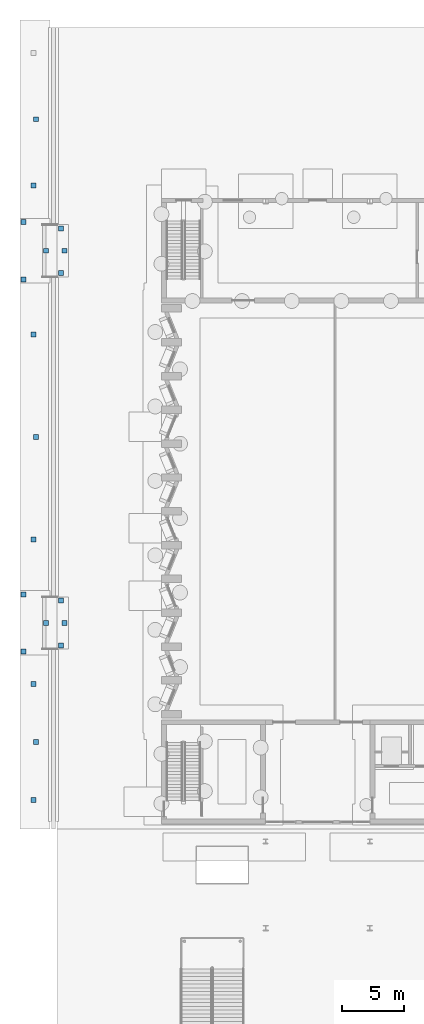
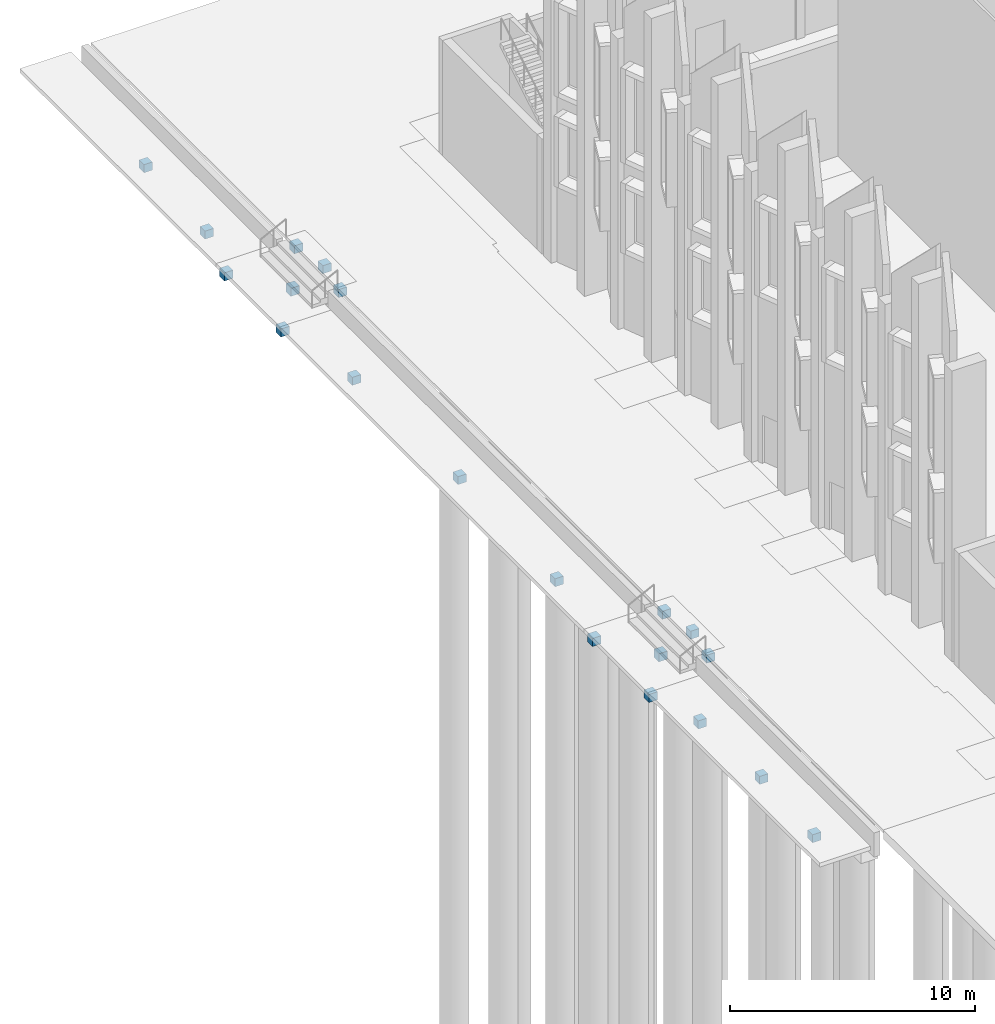
# One storey, part 6 of 108: 20 footings.
"""IFC4 building model written with IfcOpenShell, lengths in metres."""

from ifc_helpers import new_model, si_unit, direction, frame, origin, origin_2d, place, context, subcontext, project, spatial, rectangle, extrude, material, type_object, element, save


model = new_model("IFC4")

# Units and contexts
model_context = context("Model", 3, precision=1e-05, world=origin(), true_north=direction((0.0, 1.0)))
body_context = subcontext(model_context, "Body", "Model", "MODEL_VIEW")
ifc_project = project(units=[si_unit("LENGTHUNIT", "METRE"), si_unit("AREAUNIT", "SQUARE_METRE"), si_unit("VOLUMEUNIT", "CUBIC_METRE"), si_unit("PLANEANGLEUNIT", "RADIAN"), si_unit("MASSUNIT", "GRAM", prefix="KILO")], contexts=[model_context])

# Site, building, storey
site_placement = place(None, origin())
site = spatial("IfcSite", under=ifc_project, at=site_placement, CompositionType="ELEMENT")
building_placement = place(site_placement, origin())
building = spatial("IfcBuilding", under=site, at=building_placement, Name="Cresset Court Congress Hotel", CompositionType="ELEMENT")
storey_placement = place(building_placement, origin())
storey = spatial("IfcBuildingStorey", under=building, at=storey_placement, Name="L00", CompositionType="ELEMENT", Elevation=0.0)

# Footings
ifc_material = material(Name="Concrete C35", Category="concrete")
footing_type = type_object("IfcFootingType", Name="Support pad 400x400", PredefinedType="PAD_FOOTING", material=ifc_material)
for number, where, z_axis, x_axis, name in (
    (1, (-1.89892578125, 60.7333984375, -1.199951171875), (0.0, 0.0, 1.0), (1.0, 0.0, 0.0), "Kerb pad W01.1"),
    (2, (-1.698974609375, 65.39990234375, -1.199951171875), (0.0, 0.0, 1.0), (1.0, 0.0, 0.0), "Kerb pad W01.2"),
    (3, (-1.89892578125, 70.066650390625, -1.199951171875), (0.0, 0.0, 1.0), (1.0, 0.0, 0.0), "Kerb pad W01.3"),
    (4, (-1.89892578125, 81.7333984375, -1.199951171875), (0.0, 0.0, 1.0), (1.0, 0.0, 0.0), "Kerb pad W02.1"),
    (5, (-1.698974609375, 90.0, -1.199951171875), (0.0, 0.0, 1.0), (1.0, 0.0, 0.0), "Kerb pad W02.2"),
    (6, (-1.89892578125, 98.2666015625, -1.199951171875), (0.0, 0.0, 1.0), (1.0, 0.0, 0.0), "Kerb pad W02.3"),
    (7, (-1.89892578125, 110.266357421875, -1.199951171875), (0.0, 0.0, 1.0), (1.0, 0.0, 0.0), "Kerb pad W03.1"),
    (8, (-1.698974609375, 115.59912109375, -1.199951171875), (0.0, 0.0, 1.0), (1.0, 0.0, 0.0), "Kerb pad W03.2"),
    (9, (-2.697998046875, 72.699951171875, -1.199951171875), (0.0, 0.0, 1.0), (1.0, 0.0, 0.0), "Support pad 1"),
    (10, (-2.697998046875, 77.300048828125, -1.199951171875), (0.0, 0.0, 1.0), (1.0, 0.0, 0.0), "Support pad 2"),
    (11, (-0.89990234375, 75.0, -1.199951171875), (0.0, 0.0, 1.0), (1.0, 0.0, 0.0), "Support pad 3"),
    (12, (-2.697998046875, 102.699951171875, -1.199951171875), (0.0, 0.0, 1.0), (1.0, 0.0, 0.0), "Support pad 1"),
    (13, (-2.697998046875, 107.300048828125, -1.199951171875), (0.0, 0.0, 1.0), (1.0, 0.0, 0.0), "Support pad 2"),
    (14, (-0.89990234375, 105.0, -1.199951171875), (0.0, 0.0, 1.0), (1.0, 0.0, 0.0), "Support pad 3"),
    (15, (0.300048828125, 73.199951171875, -0.599853515625), (0.0, 0.0, 1.0), (1.0, 0.0, 0.0), "Support pad 1"),
    (16, (0.300048828125, 76.800048828125, -0.599853515625), (0.0, 0.0, 1.0), (1.0, 0.0, 0.0), "Support pad 2"),
    (17, (0.60009765625, 75.0, -0.599853515625), (0.0, 0.0, 1.0), (1.0, 0.0, 0.0), "Support pad 3"),
    (18, (0.300048828125, 103.199951171875, -0.599853515625), (0.0, 0.0, 1.0), (1.0, 0.0, 0.0), "Support pad 1"),
    (19, (0.300048828125, 106.800048828125, -0.599853515625), (0.0, 0.0, 1.0), (1.0, 0.0, 0.0), "Support pad 2"),
    (20, (0.60009765625, 105.0, -0.599853515625), (0.0, 0.0, 1.0), (1.0, 0.0, 0.0), "Support pad 3"),
):
    element("IfcFooting", number, at=place(storey_placement, frame(where, z_axis=z_axis, x_axis=x_axis)), inside=storey, type_object=footing_type, Name=name, PredefinedType="PAD_FOOTING", context=body_context, shape_type="SweptSolid", body=[
        extrude(rectangle(XDim=0.39990234375, YDim=0.39990234375, at=origin_2d()), origin(), (0.0, 0.0, 1.0), 0.39990234375),
    ])

save(model, "model.ifc")
